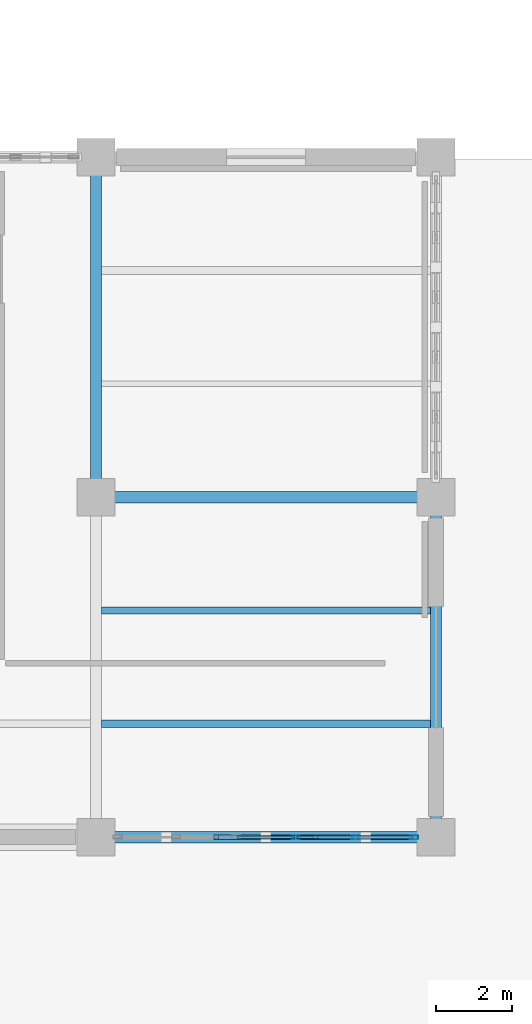
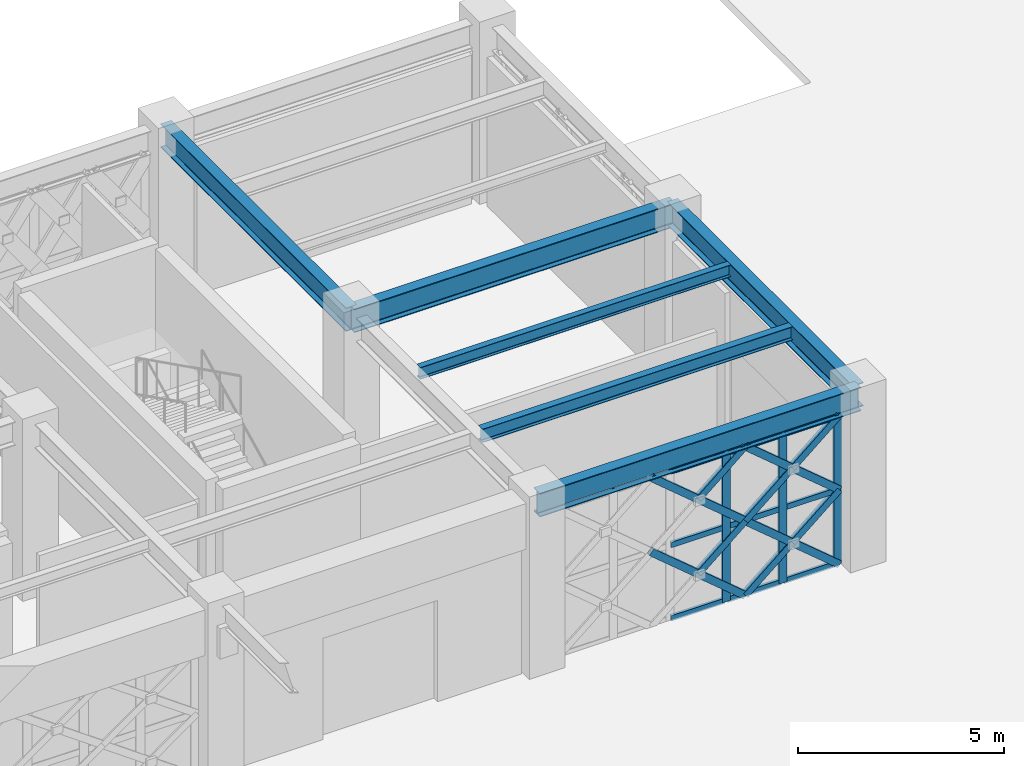
# One storey, part 46 of 140: 22 members, 6 beams, 1 element without a shape of its own.
"""IFC4 building model written with IfcOpenShell, lengths in metres."""

from ifc_helpers import new_model, si_unit, direction, frame, origin, origin_2d, place, context, subcontext, project, spatial, hollow_rectangle, i_section, extrude, material, material_profile, profile_set, type_object, element, aggregate, save


model = new_model("IFC4")

# Units and contexts
model_context = context("Model", 3, precision=1e-05, world=origin(), true_north=direction((0.0, 1.0)))
body_context = subcontext(model_context, "Body", "Model", "MODEL_VIEW")
ifc_project = project(units=[si_unit("LENGTHUNIT", "METRE"), si_unit("AREAUNIT", "SQUARE_METRE"), si_unit("VOLUMEUNIT", "CUBIC_METRE"), si_unit("PLANEANGLEUNIT", "RADIAN"), si_unit("MASSUNIT", "GRAM", prefix="KILO")], contexts=[model_context])

# Site, building, storey
site_placement = place(None, origin())
site = spatial("IfcSite", under=ifc_project, at=site_placement, CompositionType="ELEMENT")
building_placement = place(site_placement, origin())
building = spatial("IfcBuilding", under=site, at=building_placement, Name="Haizhuo Lancet Aquarium", CompositionType="ELEMENT")
storey_placement = place(building_placement, origin())
storey = spatial("IfcBuildingStorey", under=building, at=storey_placement, Name="L00", CompositionType="ELEMENT", Elevation=0.0)

# Beams
ifc_material_1 = material(Name="Steel S355", Category="steel")
ifc_material_profile_1 = material_profile(ifc_material_1, i_section(OverallWidth=0.300048828125, OverallDepth=0.699951171875, WebThickness=0.012939453125, FlangeThickness=0.02392578125, FilletRadius=0.02587890625, at=origin_2d()), Name="HN 700x300x13x24")
ifc_profile_set_1 = profile_set([ifc_material_profile_1], Name="Steel S355")
beam_type_1 = type_object("IfcBeamType", Name="BM-ST-HN700", PredefinedType="BEAM", material=ifc_profile_set_1)
for number, where, z_axis, x_axis, name in (
    (1, (-45.0, 9.0, 4.77001953125), (1.0, 0.0, 0.0), (0.0, 1.0, 0.0), "L00 V2 primary girder BM-L00-V2-017"),
    (2, (-45.0, 18.0, 4.77001953125), (0.0, 1.0, 0.0), (-1.0, 0.0, 0.0), "L00 V2 primary girder BM-L00-V2-018"),
    (3, (-45.0, 18.0, 4.77001953125), (1.0, 0.0, 0.0), (0.0, 1.0, 0.0), "L00 V2 primary girder BM-L00-V2-019"),
    (4, (-36.0, 9.0, 4.77001953125), (0.0, 1.0, 0.0), (-1.0, 0.0, 0.0), "L00 V2 primary girder BM-L00-V2-021"),
):
    element("IfcBeam", number, at=place(storey_placement, frame(where, z_axis=z_axis, x_axis=x_axis)), inside=storey, type_object=beam_type_1, Name=name, PredefinedType="BEAM", context=body_context, shape_type="SweptSolid", body=[
        extrude(i_section(OverallWidth=0.300048828125, OverallDepth=0.699951171875, WebThickness=0.012939453125, FlangeThickness=0.02392578125, FilletRadius=0.02587890625, at=origin_2d()), origin(), (0.0, 0.0, 1.0), 9.0),
    ])

# Curtain wall, members
ifc_material_2 = material(Name="Aluminium 6063-T6", Category="aluminium")
curtain_wall_type = type_object("IfcCurtainWallType", Name="CWO-7910x4420", PredefinedType="NOTDEFINED", material=ifc_material_2)
curtain_wall_placement = place(storey_placement, origin())
curtain_wall = element("IfcCurtainWall", 5, at=curtain_wall_placement, inside=storey, type_object=curtain_wall_type, Name="L00 curtain wall CW-V2-L00-017", PredefinedType="NOTDEFINED")
ifc_material_profile_2 = material_profile(ifc_material_2, hollow_rectangle(XDim=0.074951171875, YDim=0.219970703125, WallThickness=0.0048828125, at=origin_2d()), Name="ALU-M 75x220x5")
ifc_profile_set_2 = profile_set([ifc_material_profile_2], Name="Aluminium 6063-T6")
member_type_1 = type_object("IfcMemberType", Name="CW-MUL-2", PredefinedType="MULLION", material=ifc_profile_set_2)
member_1_placement = place(storey_placement, frame((-36.5830078125, 9.0, 0.0), z_axis=(0.0, 0.0, 1.0), x_axis=(0.0, -1.0, 0.0)))
member_1 = element("IfcMember", 6, at=member_1_placement, type_object=member_type_1, Name="CWO-79x44 mullion 1", PredefinedType="MULLION", context=body_context, shape_type="SweptSolid", body=[
    extrude(hollow_rectangle(XDim=0.074951171875, YDim=0.219970703125, WallThickness=0.0048828125, at=origin_2d()), origin(), (0.0, 0.0, 1.0), 4.419921875),
])
member_2_placement = place(storey_placement, frame((-38.126953125, 9.0, 0.0), z_axis=(0.0, 0.0, 1.0), x_axis=(0.0, -1.0, 0.0)))
member_2 = element("IfcMember", 7, at=member_2_placement, type_object=member_type_1, Name="CWO-79x44 mullion 2", PredefinedType="MULLION", context=body_context, shape_type="SweptSolid", body=[
    extrude(hollow_rectangle(XDim=0.074951171875, YDim=0.219970703125, WallThickness=0.0048828125, at=origin_2d()), origin(), (0.0, 0.0, 1.0), 4.419921875),
])
member_3_placement = place(storey_placement, frame((-39.708984375, 9.0, 0.0), z_axis=(0.0, 0.0, 1.0), x_axis=(0.0, -1.0, 0.0)))
member_3 = element("IfcMember", 8, at=member_3_placement, type_object=member_type_1, Name="CWO-79x44 mullion 3", PredefinedType="MULLION", context=body_context, shape_type="SweptSolid", body=[
    extrude(hollow_rectangle(XDim=0.074951171875, YDim=0.219970703125, WallThickness=0.0048828125, at=origin_2d()), origin(), (0.0, 0.0, 1.0), 4.419921875),
])
ifc_material_profile_3 = material_profile(ifc_material_2, hollow_rectangle(XDim=0.074951171875, YDim=0.159912109375, WallThickness=0.00390625, at=origin_2d()), Name="ALU-T 75x160x4")
ifc_profile_set_3 = profile_set([ifc_material_profile_3], Name="Aluminium 6063-T6")
member_type_2 = type_object("IfcMemberType", Name="CW-TRN-2", PredefinedType="NOTDEFINED", material=ifc_profile_set_3)
member_4_placement = place(storey_placement, frame((-36.6201171875, 9.0, 0.037109375), z_axis=(-1.0, 0.0, 0.0), x_axis=(0.0, -1.0, 0.0)))
member_4 = element("IfcMember", 9, at=member_4_placement, type_object=member_type_2, Name="CWO-79x44 transom 1.1", ObjectType="TRANSOM", PredefinedType="USERDEFINED", context=body_context, shape_type="SweptSolid", body=[
    extrude(hollow_rectangle(XDim=0.074951171875, YDim=0.159912109375, WallThickness=0.00390625, at=origin_2d()), origin(), (0.0, 0.0, 1.0), 1.469970703125),
])
member_5_placement = place(storey_placement, frame((-36.6201171875, 9.0, 2.2099609375), z_axis=(-1.0, 0.0, 0.0), x_axis=(0.0, -1.0, 0.0)))
member_5 = element("IfcMember", 10, at=member_5_placement, type_object=member_type_2, Name="CWO-79x44 transom 1.2", ObjectType="TRANSOM", PredefinedType="USERDEFINED", context=body_context, shape_type="SweptSolid", body=[
    extrude(hollow_rectangle(XDim=0.074951171875, YDim=0.159912109375, WallThickness=0.00390625, at=origin_2d()), origin(), (0.0, 0.0, 1.0), 1.469970703125),
])
member_6_placement = place(storey_placement, frame((-36.6201171875, 9.0, 4.383056640625), z_axis=(-1.0, 0.0, 0.0), x_axis=(0.0, -1.0, 0.0)))
member_6 = element("IfcMember", 11, at=member_6_placement, type_object=member_type_2, Name="CWO-79x44 transom 1.3", ObjectType="TRANSOM", PredefinedType="USERDEFINED", context=body_context, shape_type="SweptSolid", body=[
    extrude(hollow_rectangle(XDim=0.074951171875, YDim=0.159912109375, WallThickness=0.00390625, at=origin_2d()), origin(), (0.0, 0.0, 1.0), 1.469970703125),
])
member_7_placement = place(storey_placement, frame((-38.1650390625, 9.0, 0.037109375), z_axis=(-1.0, 0.0, 0.0), x_axis=(0.0, -1.0, 0.0)))
member_7 = element("IfcMember", 12, at=member_7_placement, type_object=member_type_2, Name="CWO-79x44 transom 2.1", ObjectType="TRANSOM", PredefinedType="USERDEFINED", context=body_context, shape_type="SweptSolid", body=[
    extrude(hollow_rectangle(XDim=0.074951171875, YDim=0.159912109375, WallThickness=0.00390625, at=origin_2d()), origin(), (0.0, 0.0, 1.0), 1.507080078125),
])
member_8_placement = place(storey_placement, frame((-38.1650390625, 9.0, 2.2099609375), z_axis=(-1.0, 0.0, 0.0), x_axis=(0.0, -1.0, 0.0)))
member_8 = element("IfcMember", 13, at=member_8_placement, type_object=member_type_2, Name="CWO-79x44 transom 2.2", ObjectType="TRANSOM", PredefinedType="USERDEFINED", context=body_context, shape_type="SweptSolid", body=[
    extrude(hollow_rectangle(XDim=0.074951171875, YDim=0.159912109375, WallThickness=0.00390625, at=origin_2d()), origin(), (0.0, 0.0, 1.0), 1.507080078125),
])
member_9_placement = place(storey_placement, frame((-38.1650390625, 9.0, 4.383056640625), z_axis=(-1.0, 0.0, 0.0), x_axis=(0.0, -1.0, 0.0)))
member_9 = element("IfcMember", 14, at=member_9_placement, type_object=member_type_2, Name="CWO-79x44 transom 2.3", ObjectType="TRANSOM", PredefinedType="USERDEFINED", context=body_context, shape_type="SweptSolid", body=[
    extrude(hollow_rectangle(XDim=0.074951171875, YDim=0.159912109375, WallThickness=0.00390625, at=origin_2d()), origin(), (0.0, 0.0, 1.0), 1.507080078125),
])
member_10_placement = place(storey_placement, frame((-39.74609375, 9.0, 0.037109375), z_axis=(-1.0, 0.0, 0.0), x_axis=(0.0, -1.0, 0.0)))
member_10 = element("IfcMember", 15, at=member_10_placement, type_object=member_type_2, Name="CWO-79x44 transom 3.1", ObjectType="TRANSOM", PredefinedType="USERDEFINED", context=body_context, shape_type="SweptSolid", body=[
    extrude(hollow_rectangle(XDim=0.074951171875, YDim=0.159912109375, WallThickness=0.00390625, at=origin_2d()), origin(), (0.0, 0.0, 1.0), 1.5078125),
])
member_11_placement = place(storey_placement, frame((-39.74609375, 9.0, 2.2099609375), z_axis=(-1.0, 0.0, 0.0), x_axis=(0.0, -1.0, 0.0)))
member_11 = element("IfcMember", 16, at=member_11_placement, type_object=member_type_2, Name="CWO-79x44 transom 3.2", ObjectType="TRANSOM", PredefinedType="USERDEFINED", context=body_context, shape_type="SweptSolid", body=[
    extrude(hollow_rectangle(XDim=0.074951171875, YDim=0.159912109375, WallThickness=0.00390625, at=origin_2d()), origin(), (0.0, 0.0, 1.0), 1.5078125),
])
member_12_placement = place(storey_placement, frame((-39.74609375, 9.0, 4.383056640625), z_axis=(-1.0, 0.0, 0.0), x_axis=(0.0, -1.0, 0.0)))
member_12 = element("IfcMember", 17, at=member_12_placement, type_object=member_type_2, Name="CWO-79x44 transom 3.3", ObjectType="TRANSOM", PredefinedType="USERDEFINED", context=body_context, shape_type="SweptSolid", body=[
    extrude(hollow_rectangle(XDim=0.074951171875, YDim=0.159912109375, WallThickness=0.00390625, at=origin_2d()), origin(), (0.0, 0.0, 1.0), 1.5078125),
])
aggregate(curtain_wall, [member_1, member_2, member_3, member_4, member_5, member_6, member_7, member_8, member_9, member_10, member_11, member_12])

# Beams
ifc_material_profile_4 = material_profile(ifc_material_1, i_section(OverallWidth=0.175048828125, OverallDepth=0.35009765625, WebThickness=0.007080078125, FlangeThickness=0.010986328125, FilletRadius=0.013916015625, at=origin_2d()), Name="HN 350x175x7x11")
ifc_profile_set_4 = profile_set([ifc_material_profile_4], Name="Steel S355")
beam_type_2 = type_object("IfcBeamType", Name="JST-ST-HN350", PredefinedType="JOIST", material=ifc_profile_set_4)
beam_1_placement = place(storey_placement, frame((-44.85009765625, 15.0, 4.945068359375), z_axis=(1.0, 0.0, 0.0), x_axis=(0.0, 1.0, 0.0)))
element("IfcBeam", 18, at=beam_1_placement, inside=storey, type_object=beam_type_2, Name="L00 V2 secondary floor joist 12", PredefinedType="JOIST", context=body_context, shape_type="SweptSolid", body=[
    extrude(i_section(OverallWidth=0.175048828125, OverallDepth=0.35009765625, WebThickness=0.007080078125, FlangeThickness=0.010986328125, FilletRadius=0.013916015625, at=origin_2d()), origin(), (0.0, 0.0, 1.0), 8.7001953125),
])
ifc_material_profile_5 = material_profile(ifc_material_1, i_section(OverallWidth=0.199951171875, OverallDepth=0.39990234375, WebThickness=0.008056640625, FlangeThickness=0.012939453125, FilletRadius=0.01611328125, at=origin_2d()), Name="HN 400x200x8x13")
ifc_profile_set_5 = profile_set([ifc_material_profile_5], Name="Steel S355")
beam_type_3 = type_object("IfcBeamType", Name="JST-ST-HN400", PredefinedType="JOIST", material=ifc_profile_set_5)
beam_2_placement = place(storey_placement, frame((-44.85009765625, 12.0, 4.919921875), z_axis=(1.0, 0.0, 0.0), x_axis=(0.0, 1.0, 0.0)))
element("IfcBeam", 19, at=beam_2_placement, inside=storey, type_object=beam_type_3, Name="L00 V2 secondary floor joist 11", PredefinedType="JOIST", context=body_context, shape_type="SweptSolid", body=[
    extrude(i_section(OverallWidth=0.199951171875, OverallDepth=0.39990234375, WebThickness=0.008056640625, FlangeThickness=0.012939453125, FilletRadius=0.01611328125, at=origin_2d()), origin(), (0.0, 0.0, 1.0), 8.7001953125),
])

# Members
ifc_material_profile_6 = material_profile(ifc_material_1, hollow_rectangle(XDim=0.1201171875, YDim=0.199951171875, WallThickness=0.008056640625, at=origin_2d()), Name="RHS 120x200x8")
ifc_profile_set_6 = profile_set([ifc_material_profile_6], Name="Steel S355")
member_type_3 = type_object("IfcMemberType", Name="MEM-LB-RHS120x200", PredefinedType="BRACE", material=ifc_profile_set_6)
member_13_placement = place(storey_placement, frame((-36.544921875, 9.0, 0.0), z_axis=(-0.766432673157, 0.0, 0.642324651182), x_axis=(0.0, -1.0, 0.0)))
element("IfcMember", 20, at=member_13_placement, inside=storey, type_object=member_type_3, Name="Gothic lancet continuous diagonal brace CW-V2-L00-017 1A", PredefinedType="BRACE", context=body_context, shape_type="SweptSolid", body=[
    extrude(hollow_rectangle(XDim=0.1201171875, YDim=0.199951171875, WallThickness=0.008056640625, at=origin_2d()), origin(), (0.0, 0.0, 1.0), 3.440673828125),
])
member_14_placement = place(storey_placement, frame((-39.181884765625, 9.0, 0.0), z_axis=(0.766286230908, 0.0, 0.642499348109), x_axis=(0.0, 1.0, 0.0)))
element("IfcMember", 21, at=member_14_placement, inside=storey, type_object=member_type_3, Name="Gothic lancet split diagonal brace CW-V2-L00-017 1B1", PredefinedType="BRACE", context=body_context, shape_type="SweptSolid", body=[
    extrude(hollow_rectangle(XDim=0.1201171875, YDim=0.199951171875, WallThickness=0.008056640625, at=origin_2d()), origin(), (0.0, 0.0, 1.0), 1.7197265625),
])
member_15_placement = place(storey_placement, frame((-37.864013671875, 9.0, 1.10498046875), z_axis=(0.76657899599, 0.0, 0.64215001589), x_axis=(0.0, 1.0, 0.0)))
element("IfcMember", 22, at=member_15_placement, inside=storey, type_object=member_type_3, Name="Gothic lancet split diagonal brace CW-V2-L00-017 1B2", PredefinedType="BRACE", context=body_context, shape_type="SweptSolid", body=[
    extrude(hollow_rectangle(XDim=0.1201171875, YDim=0.199951171875, WallThickness=0.008056640625, at=origin_2d()), origin(), (0.0, 0.0, 1.0), 1.720703125),
])
member_16_placement = place(storey_placement, frame((-36.544921875, 9.0, 2.2099609375), z_axis=(-0.766432673157, 0.0, 0.642324651182), x_axis=(0.0, -1.0, 0.0)))
element("IfcMember", 23, at=member_16_placement, inside=storey, type_object=member_type_3, Name="Gothic lancet continuous diagonal brace CW-V2-L00-017 2A", PredefinedType="BRACE", context=body_context, shape_type="SweptSolid", body=[
    extrude(hollow_rectangle(XDim=0.1201171875, YDim=0.199951171875, WallThickness=0.008056640625, at=origin_2d()), origin(), (0.0, 0.0, 1.0), 3.440673828125),
])
member_17_placement = place(storey_placement, frame((-39.181884765625, 9.0, 2.2099609375), z_axis=(0.766286230908, 0.0, 0.642499348109), x_axis=(0.0, 1.0, 0.0)))
element("IfcMember", 24, at=member_17_placement, inside=storey, type_object=member_type_3, Name="Gothic lancet split diagonal brace CW-V2-L00-017 2B1", PredefinedType="BRACE", context=body_context, shape_type="SweptSolid", body=[
    extrude(hollow_rectangle(XDim=0.1201171875, YDim=0.199951171875, WallThickness=0.008056640625, at=origin_2d()), origin(), (0.0, 0.0, 1.0), 1.7197265625),
])
member_18_placement = place(storey_placement, frame((-37.864013671875, 9.0, 3.31494140625), z_axis=(0.76657899599, 0.0, 0.64215001589), x_axis=(0.0, 1.0, 0.0)))
element("IfcMember", 25, at=member_18_placement, inside=storey, type_object=member_type_3, Name="Gothic lancet split diagonal brace CW-V2-L00-017 2B2", PredefinedType="BRACE", context=body_context, shape_type="SweptSolid", body=[
    extrude(hollow_rectangle(XDim=0.1201171875, YDim=0.199951171875, WallThickness=0.008056640625, at=origin_2d()), origin(), (0.0, 0.0, 1.0), 1.720703125),
])
member_19_placement = place(storey_placement, frame((-39.181884765625, 9.0, 0.0), z_axis=(-0.766344822145, 0.0, 0.642429461943), x_axis=(0.0, -1.0, 0.0)))
element("IfcMember", 26, at=member_19_placement, inside=storey, type_object=member_type_3, Name="Gothic lancet continuous diagonal brace CW-V2-L00-017 3A", PredefinedType="BRACE", context=body_context, shape_type="SweptSolid", body=[
    extrude(hollow_rectangle(XDim=0.1201171875, YDim=0.199951171875, WallThickness=0.008056640625, at=origin_2d()), origin(), (0.0, 0.0, 1.0), 3.43994140625),
])
member_20_placement = place(storey_placement, frame((-40.5, 9.0, 1.10498046875), z_axis=(0.766344822145, 0.0, 0.642429461943), x_axis=(0.0, 1.0, 0.0)))
element("IfcMember", 27, at=member_20_placement, inside=storey, type_object=member_type_3, Name="Gothic lancet split diagonal brace CW-V2-L00-017 3B2", PredefinedType="BRACE", context=body_context, shape_type="SweptSolid", body=[
    extrude(hollow_rectangle(XDim=0.1201171875, YDim=0.199951171875, WallThickness=0.008056640625, at=origin_2d()), origin(), (0.0, 0.0, 1.0), 1.719970703125),
])
member_21_placement = place(storey_placement, frame((-39.181884765625, 9.0, 2.2099609375), z_axis=(-0.766344822145, 0.0, 0.642429461943), x_axis=(0.0, -1.0, 0.0)))
element("IfcMember", 28, at=member_21_placement, inside=storey, type_object=member_type_3, Name="Gothic lancet continuous diagonal brace CW-V2-L00-017 4A", PredefinedType="BRACE", context=body_context, shape_type="SweptSolid", body=[
    extrude(hollow_rectangle(XDim=0.1201171875, YDim=0.199951171875, WallThickness=0.008056640625, at=origin_2d()), origin(), (0.0, 0.0, 1.0), 3.43994140625),
])
member_22_placement = place(storey_placement, frame((-40.5, 9.0, 3.31494140625), z_axis=(0.766344822145, 0.0, 0.642429461943), x_axis=(0.0, 1.0, 0.0)))
element("IfcMember", 29, at=member_22_placement, inside=storey, type_object=member_type_3, Name="Gothic lancet split diagonal brace CW-V2-L00-017 4B2", PredefinedType="BRACE", context=body_context, shape_type="SweptSolid", body=[
    extrude(hollow_rectangle(XDim=0.1201171875, YDim=0.199951171875, WallThickness=0.008056640625, at=origin_2d()), origin(), (0.0, 0.0, 1.0), 1.719970703125),
])

save(model, "model.ifc")
